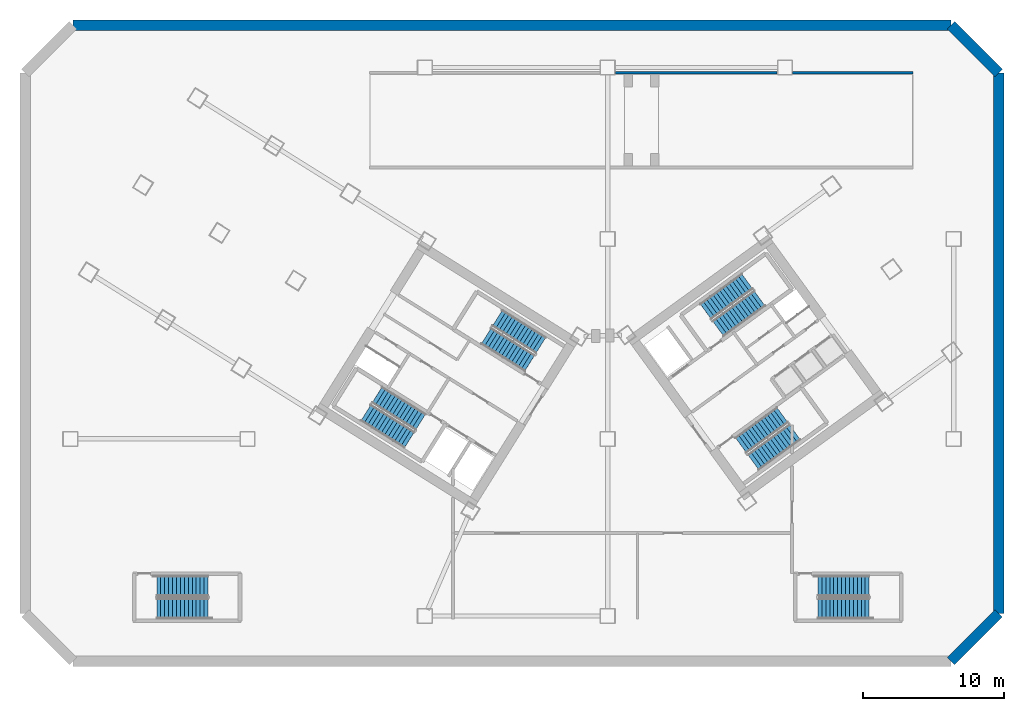
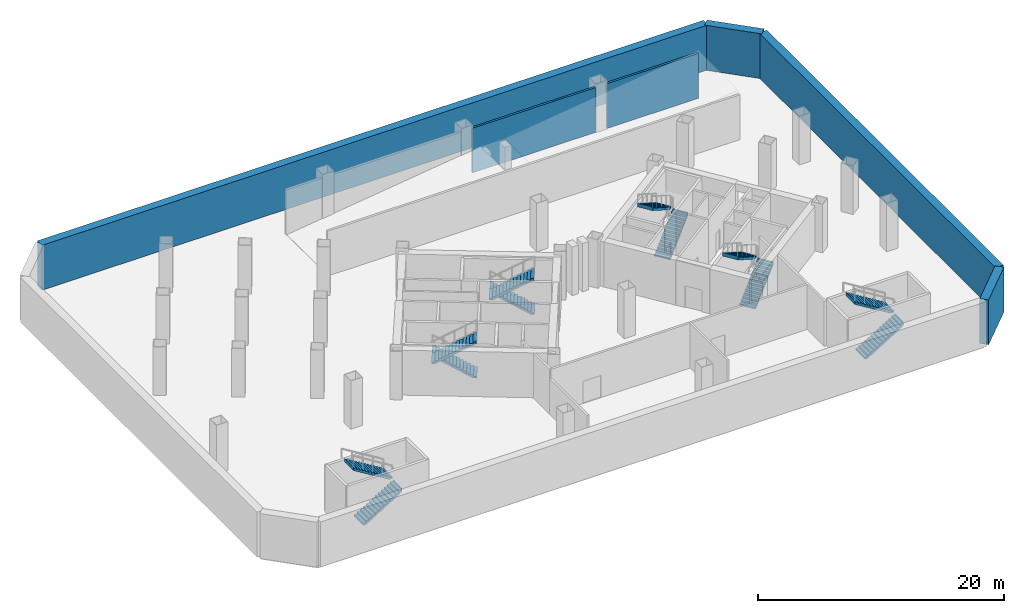
# One storey, part 5 of 9: 12 stair flights, 6 walls, 6 elements without a shape of their own.
"""IFC4 building model written with IfcOpenShell, lengths in metres."""

import ifcopenshell
import ifcopenshell.guid

model = None  # the IFC model being written
_history = None  # IfcOwnerHistory: only IFC2X3 demands one
_inside = {}  # id of a spatial element -> (the spatial element, [elements in it])
_under = {}  # id of a project, library or spatial element -> (it, [spatial elements below it])
_declared = {}  # id of a project -> (the project, [libraries it declares])
_typed = {}  # id of a type object -> (the type object, [elements of that type])
_made_of = {}  # id of a material, layer set ... -> (it, [elements and type objects made of it])


def new_model(schema):
    """Start an empty IFC model of exactly this schema.

    Asked for "IFC4X3", IfcOpenShell would pick the latest addendum, in which some entities
    have other attributes; the version numbers below select the first issue.
    IFC2X3 requires an IfcOwnerHistory on every rooted entity: one is made here for all.
    """
    global model, _history
    if schema == "IFC4X3":
        model = ifcopenshell.file(schema_version=(4, 3, 0, 0))
    else:
        model = ifcopenshell.file(schema=schema)
    _inside.clear()
    _under.clear()
    _declared.clear()
    _typed.clear()
    _made_of.clear()
    _history = None
    if model.schema == "IFC2X3":
        org = make("IfcOrganization", Name="unknown")
        user = make(
            "IfcPersonAndOrganization",
            ThePerson=make("IfcPerson", FamilyName="unknown"),
            TheOrganization=org,
        )
        app = make(
            "IfcApplication",
            ApplicationDeveloper=org,
            Version="unknown",
            ApplicationFullName="unknown",
            ApplicationIdentifier="unknown",
        )
        _history = make(
            "IfcOwnerHistory",
            OwningUser=user,
            OwningApplication=app,
            ChangeAction="ADDED",
            CreationDate=0,
        )
    return model


def make(cls, **values):
    """One entity of the class cls with the attributes given. An attribute that is None is left unset."""
    return model.create_entity(
        cls, **{name: value for name, value in values.items() if value is not None}
    )


def rooted(cls, **values):
    """An entity with a GlobalId (a new one), such as an element, a storey or a relation."""
    return make(cls, GlobalId=ifcopenshell.guid.new(), OwnerHistory=_history, **values)


def si_unit(unit_type, name, prefix=None):
    """IfcSIUnit, for example si_unit("LENGTHUNIT", "METRE", prefix="MILLI")."""
    return make("IfcSIUnit", UnitType=unit_type, Prefix=prefix, Name=name)


def assignment(units):
    """IfcUnitAssignment: the units of a project."""
    return None if units is None else make("IfcUnitAssignment", Units=units)


def point(xyz):
    """IfcCartesianPoint."""
    return None if xyz is None else make("IfcCartesianPoint", Coordinates=xyz)


def direction(xyz):
    """IfcDirection."""
    return None if xyz is None else make("IfcDirection", DirectionRatios=xyz)


def frame(location, z_axis=None, x_axis=None):
    """IfcAxis2Placement3D, a coordinate frame: its origin and axes. An axis left out is left unset."""
    return make(
        "IfcAxis2Placement3D",
        Location=point(location),
        Axis=direction(z_axis),
        RefDirection=direction(x_axis),
    )


def frame_2d(location, x_axis=None):
    """IfcAxis2Placement2D, a coordinate frame in the plane: its origin and x axis."""
    return make(
        "IfcAxis2Placement2D", Location=point(location), RefDirection=direction(x_axis)
    )


def origin():
    """The frame at (0, 0, 0) with its axes left unset."""
    return frame((0.0, 0.0, 0.0))


def place(relative_to, where):
    """IfcLocalPlacement: puts the frame where relative to a parent placement (None: the world)."""
    return make(
        "IfcLocalPlacement", PlacementRelTo=relative_to, RelativePlacement=where
    )


def context(
    kind, dimensions, precision=None, world=None, true_north=None, identifier=None
):
    """IfcGeometricRepresentationContext, for example the 3D "Model" context."""
    return make(
        "IfcGeometricRepresentationContext",
        ContextIdentifier=identifier,
        ContextType=kind,
        CoordinateSpaceDimension=dimensions,
        Precision=precision,
        WorldCoordinateSystem=world,
        TrueNorth=true_north,
    )


def subcontext(parent, identifier, kind, view, scale=None):
    """IfcGeometricRepresentationSubContext, for example "Body" below "Model"."""
    return make(
        "IfcGeometricRepresentationSubContext",
        ContextIdentifier=identifier,
        ContextType=kind,
        ParentContext=parent,
        TargetScale=scale,
        TargetView=view,
    )


def project(units=None, contexts=None):
    """IfcProject with its units and contexts."""
    return rooted(
        "IfcProject",
        Name="project",
        RepresentationContexts=contexts,
        UnitsInContext=assignment(units),
    )


def spatial(cls, under=None, at=None, **own):
    """A site, building, storey or space (cls), placed at a placement, below another one or the project."""
    s = rooted(cls, ObjectPlacement=at, **own)
    if under is not None:
        _under.setdefault(under.id(), (under, []))[1].append(s)
    return s


def polyline(points):
    """IfcPolyline through the points."""
    return make("IfcPolyline", Points=[point(p) for p in points])


def profile(cls, at=None, kind="AREA", **sizes):
    """A parametric profile (cls). Its sizes go by their IFC names, for example OverallWidth=200.0."""
    return make(cls, ProfileType=kind, Position=at, **sizes)


def rectangle(**sizes):
    """IfcRectangleProfileDef."""
    return profile("IfcRectangleProfileDef", **sizes)


def outline(outer, holes=None, kind="AREA"):
    """IfcArbitraryClosedProfileDef: a profile drawn as a closed curve; with holes, ...WithVoids."""
    if holes is None:
        return make("IfcArbitraryClosedProfileDef", ProfileType=kind, OuterCurve=outer)
    return make(
        "IfcArbitraryProfileDefWithVoids",
        ProfileType=kind,
        OuterCurve=outer,
        InnerCurves=holes,
    )


def extrude(swept, where, along, depth):
    """IfcExtrudedAreaSolid: the profile swept, set in the frame where, extruded along a direction by depth."""
    return make(
        "IfcExtrudedAreaSolid",
        SweptArea=swept,
        Position=where,
        ExtrudedDirection=direction(along),
        Depth=depth,
    )


def shape(context_of_items, identifier, shape_type, items):
    """IfcShapeRepresentation: the items that make up one representation, for example the "Body"."""
    return make(
        "IfcShapeRepresentation",
        ContextOfItems=context_of_items,
        RepresentationIdentifier=identifier,
        RepresentationType=shape_type,
        Items=items,
    )


def source(mapping_origin, context_of_items, identifier, shape_type, items):
    """IfcRepresentationMap: a shape defined once, which mapped items show again and again."""
    return make(
        "IfcRepresentationMap",
        MappingOrigin=mapping_origin,
        MappedRepresentation=shape(context_of_items, identifier, shape_type, items),
    )


def transform(
    local_origin,
    x_axis=None,
    y_axis=None,
    z_axis=None,
    scale=None,
    scale2=None,
    scale3=None,
    uniform=True,
):
    """IfcCartesianTransformationOperator3D, or its non-uniform kind. x_axis, y_axis, z_axis: its Axis1, 2, 3."""
    if uniform:
        return make(
            "IfcCartesianTransformationOperator3D",
            Axis1=direction(x_axis),
            Axis2=direction(y_axis),
            LocalOrigin=point(local_origin),
            Scale=scale,
            Axis3=direction(z_axis),
        )
    return make(
        "IfcCartesianTransformationOperator3DnonUniform",
        Axis1=direction(x_axis),
        Axis2=direction(y_axis),
        LocalOrigin=point(local_origin),
        Scale=scale,
        Axis3=direction(z_axis),
        Scale2=scale2,
        Scale3=scale3,
    )


def mapped(mapping_source, mapping_target):
    """IfcMappedItem: shows the shape of a source again, moved by a transform."""
    return make(
        "IfcMappedItem", MappingSource=mapping_source, MappingTarget=mapping_target
    )


def material(Name=None, Category=None):
    """IfcMaterial."""
    return make("IfcMaterial", Name=Name, Category=Category)


def layer(
    of_material, thickness, ventilated=None, Name=None, Category=None, Priority=None
):
    """IfcMaterialLayer: one layer of a wall or slab, of a material (None: an air gap)."""
    return make(
        "IfcMaterialLayer",
        Material=of_material,
        LayerThickness=thickness,
        IsVentilated=ventilated,
        Name=Name,
        Category=Category,
        Priority=Priority,
    )


def layer_set(layers, Name=None):
    """IfcMaterialLayerSet."""
    return make("IfcMaterialLayerSet", MaterialLayers=layers, LayerSetName=Name)


def made_of(thing, what):
    """Note that an element or type object is made of a material, layer set ...; save() writes the relation."""
    if what is not None:
        _made_of.setdefault(what.id(), (what, []))[1].append(thing)
    return thing


def type_object(cls, material=None, **own):
    """A type object (cls), such as IfcWallType, which elements share."""
    return made_of(rooted(cls, **own), material)


def element(
    cls,
    number,
    at=None,
    inside=None,
    cuts=None,
    type_object=None,
    material=None,
    context=None,
    identifier="Body",
    shape_type=None,
    held_by="IfcProductDefinitionShape",
    body=None,
    shapes=None,
    **own,
):
    """One element of the class cls, such as IfcWall. Its Tag is "e" and its number.

    at: its placement. inside: the storey or other place that contains it. cuts: it is an
    opening in that element (IfcRelVoidsElement). A single representation is given by context,
    identifier, shape_type and body (its items); several are given by shapes. held_by: the class
    of the entity that holds the representations. save() writes the other relations.
    """
    e = rooted(cls, Tag="e%d" % number, ObjectPlacement=at, **own)
    if body is not None:
        shapes = [shape(context, identifier, shape_type, body)]
    if shapes is not None:
        e.Representation = make(held_by, Representations=shapes)
    if inside is not None:
        _inside.setdefault(inside.id(), (inside, []))[1].append(e)
    if cuts is not None:
        rooted(
            "IfcRelVoidsElement", RelatingBuildingElement=cuts, RelatedOpeningElement=e
        )
    if type_object is not None:
        _typed.setdefault(type_object.id(), (type_object, []))[1].append(e)
    return made_of(e, material)


def aggregate(whole, parts):
    """IfcRelAggregates: a whole, such as a stair, and the parts it consists of."""
    return rooted("IfcRelAggregates", RelatingObject=whole, RelatedObjects=parts)


def save(model, path):
    """Write the relations noted so far, then the file.

    IfcRelAggregates (storeys below a building ...), IfcRelContainedInSpatialStructure (elements
    in a storey), IfcRelDefinesByType, IfcRelAssociatesMaterial and IfcRelDeclares: one each for
    every whole, place, type object, material and project.
    """
    for whole, parts in _under.values():
        aggregate(whole, parts)
    for where, things in _inside.values():
        rooted(
            "IfcRelContainedInSpatialStructure",
            RelatedElements=things,
            RelatingStructure=where,
        )
    for kind, things in _typed.values():
        rooted("IfcRelDefinesByType", RelatedObjects=things, RelatingType=kind)
    for what, things in _made_of.values():
        rooted("IfcRelAssociatesMaterial", RelatedObjects=things, RelatingMaterial=what)
    for by, libraries in _declared.values():
        rooted("IfcRelDeclares", RelatingContext=by, RelatedDefinitions=libraries)
    model.write(path)


model = new_model("IFC4")

# Units and contexts
model_context = context("Model", 3, precision=1e-05, world=origin(), true_north=direction((0.0, 1.0)))
body_context = subcontext(model_context, "Body", "Model", "MODEL_VIEW")
ifc_project = project(units=[si_unit("LENGTHUNIT", "METRE"), si_unit("AREAUNIT", "SQUARE_METRE"), si_unit("VOLUMEUNIT", "CUBIC_METRE"), si_unit("PLANEANGLEUNIT", "RADIAN"), si_unit("MASSUNIT", "GRAM", prefix="KILO")], contexts=[model_context])

# Site, building, storey
site_placement = place(None, origin())
site = spatial("IfcSite", under=ifc_project, at=site_placement, CompositionType="ELEMENT")
building_placement = place(site_placement, origin())
building = spatial("IfcBuilding", under=site, at=building_placement, Name="Tlacorven Tower", CompositionType="ELEMENT")
storey_placement = place(building_placement, frame((0.0, 0.0, -4.800048828125)))
storey = spatial("IfcBuildingStorey", under=building, at=storey_placement, Name="B1", CompositionType="ELEMENT", Elevation=-4.800048828125)

# Walls
ifc_material_1 = material(Name="Concrete C50/60", Category="concrete")
ifc_layer_1 = layer(ifc_material_1, 0.75)
ifc_layer_set_1 = layer_set([ifc_layer_1], Name="Concrete C50/60")
wall_type_1 = type_object("IfcWallType", Name="WL-RET-750", PredefinedType="USERDEFINED", material=ifc_layer_set_1)
wall_1_placement = place(storey_placement, frame((67.199951171875, 1.39990234375, 0.0), z_axis=(0.0, 0.0, 1.0), x_axis=(0.707106781187, 0.707106781187, 0.0)))
element("IfcWall", 1, at=wall_1_placement, inside=storey, type_object=wall_type_1, Name="B1 Diaphragm Retaining Wall 2", ObjectType="RETAINING WALL", PredefinedType="USERDEFINED", context=body_context, shape_type="SweptSolid", body=[
    extrude(rectangle(XDim=4.80859375, YDim=0.75, at=frame_2d((2.404296875, 0.0))), origin(), (0.0, 0.0, 1.0), 4.449951171875),
])
wall_2_placement = place(storey_placement, frame((70.60009765625, 4.800048828125, 0.0), z_axis=(0.0, 0.0, 1.0), x_axis=(0.0, 1.0, 0.0)))
element("IfcWall", 2, at=wall_2_placement, inside=storey, type_object=wall_type_1, Name="B1 Diaphragm Retaining Wall 3", ObjectType="RETAINING WALL", PredefinedType="USERDEFINED", context=body_context, shape_type="SweptSolid", body=[
    extrude(rectangle(XDim=38.39990234375, YDim=0.75, at=frame_2d((19.199951171875, 0.0))), origin(), (0.0, 0.0, 1.0), 4.449951171875),
])
wall_3_placement = place(storey_placement, frame((70.60009765625, 43.199951171875, 0.0), z_axis=(0.0, 0.0, 1.0), x_axis=(-0.707106781187, 0.707106781187, 0.0)))
element("IfcWall", 3, at=wall_3_placement, inside=storey, type_object=wall_type_1, Name="B1 Diaphragm Retaining Wall 4", ObjectType="RETAINING WALL", PredefinedType="USERDEFINED", context=body_context, shape_type="SweptSolid", body=[
    extrude(rectangle(XDim=4.80859375, YDim=0.75, at=frame_2d((2.404296875, 0.0))), origin(), (0.0, 0.0, 1.0), 4.449951171875),
])
wall_4_placement = place(storey_placement, frame((67.199951171875, 46.60009765625, 0.0), z_axis=(0.0, 0.0, 1.0), x_axis=(-1.0, 0.0, 0.0)))
element("IfcWall", 4, at=wall_4_placement, inside=storey, type_object=wall_type_1, Name="B1 Diaphragm Retaining Wall 5", ObjectType="RETAINING WALL", PredefinedType="USERDEFINED", context=body_context, shape_type="SweptSolid", body=[
    extrude(rectangle(XDim=62.39990234375, YDim=0.75, at=frame_2d((31.199951171875, 0.0))), origin(), (0.0, 0.0, 1.0), 4.449951171875),
])
ifc_material_2 = material(Name="Concrete C40/50", Category="concrete")
ifc_layer_2 = layer(ifc_material_2, 0.199951171875)
ifc_layer_set_2 = layer_set([ifc_layer_2], Name="Concrete C40/50")
wall_type_2 = type_object("IfcWallType", Name="WL-SHF-200", PredefinedType="STANDARD", material=ifc_layer_set_2)
wall_5_placement = place(storey_placement, frame((43.35205078125, 43.219970703125, 0.0), z_axis=(0.0, 0.0, 1.0), x_axis=(1.0, 0.0, 0.0)))
element("IfcWall", 5, at=wall_5_placement, inside=storey, type_object=wall_type_2, Name="B1 Vehicle Ramp North Flank Wall", PredefinedType="STANDARD", context=body_context, shape_type="SweptSolid", body=[
    extrude(rectangle(XDim=11.495849609375, YDim=0.199951171875, at=frame_2d((5.748046875, 0.0))), origin(), (0.0, 0.0, 1.0), 4.43994140625),
])
wall_6_placement = place(storey_placement, frame((55.951904296875, 43.219970703125, 0.0), z_axis=(0.0, 0.0, 1.0), x_axis=(1.0, 0.0, 0.0)))
element("IfcWall", 6, at=wall_6_placement, inside=storey, type_object=wall_type_2, Name="B1 Vehicle Ramp North Flank Wall", PredefinedType="STANDARD", context=body_context, shape_type="SweptSolid", body=[
    extrude(rectangle(XDim=8.568115234375, YDim=0.199951171875, at=frame_2d((4.2841796875, 0.0))), origin(), (0.0, 0.0, 1.0), 4.43994140625),
])

# Stair, stair flights
stair_type_1 = type_object("IfcStairType", Name="ST-CORE-DLG", PredefinedType="HALF_TURN_STAIR", material=ifc_material_2)
stair_1_placement = place(storey_placement, origin())
stair_1 = element("IfcStair", 7, at=stair_1_placement, inside=storey, type_object=stair_type_1, Name="B1 Protected Exit Stair West 1", PredefinedType="HALF_TURN_STAIR")
stair_flight_type_1 = type_object("IfcStairFlightType", Name="SFL-RC-1380", PredefinedType="STRAIGHT", material=ifc_material_2)
shared_shape_1 = source(origin(), body_context, "Body", "SweptSolid", [
    extrude(outline(polyline([(-0.0029296875, -0.0029296875), (-0.0029296875, 0.17138671875), (0.280029296875, 0.17138671875), (0.280029296875, 0.3427734375), (0.56005859375, 0.3427734375), (0.56005859375, 0.514404296875), (0.840087890625, 0.514404296875), (0.840087890625, 0.685791015625), (1.1201171875, 0.685791015625), (1.1201171875, 0.857177734375), (1.39990234375, 0.857177734375), (1.39990234375, 1.028564453125), (1.679931640625, 1.028564453125), (1.679931640625, 1.199951171875), (1.9599609375, 1.199951171875), (1.9599609375, 1.371337890625), (2.239990234375, 1.371337890625), (2.239990234375, 1.54296875), (2.52001953125, 1.54296875), (2.52001953125, 1.71435546875), (2.800048828125, 1.71435546875), (2.800048828125, 1.8857421875), (3.080078125, 1.8857421875), (3.080078125, 2.05712890625), (3.360107421875, 2.05712890625), (3.360107421875, 2.228515625), (3.639892578125, 2.228515625), (3.639892578125, 2.39990234375), (3.64306640625, 2.39990234375), (3.64306640625, 2.041015625), (3.639892578125, 2.041015625), (0.30615234375, 0.0), (0.30615234375, -0.0029296875), (-0.0029296875, -0.0029296875)])), frame((0.0, 0.68994140625, 0.0), z_axis=(0.0, -1.0, 0.0), x_axis=(1.0, 0.0, 0.0)), (0.0, 0.0, 1.0), 1.3798828125),
])
stair_flight_1_placement = place(storey_placement, frame((29.499755859375, 18.39453125, 0.0), z_axis=(0.0, 0.0, 1.0), x_axis=(-0.848048096156, 0.529919264233, 0.0)))
stair_flight_1 = element("IfcStairFlight", 8, at=stair_flight_1_placement, type_object=stair_flight_type_1, Name="ST-W1 flight 1", NumberOfRisers=14, NumberOfTreads=13, PredefinedType="STRAIGHT", RiserHeight=0.171428571, TreadLength=0.28, context=body_context, shape_type="MappedRepresentation", body=[
    mapped(shared_shape_1, transform((0.0, 0.0, 0.0), scale=1.0)),
])
stair_flight_2_placement = place(storey_placement, frame((25.6181640625, 19.051513671875, 2.400146484375), z_axis=(0.0, 0.0, 1.0), x_axis=(0.848048096156, -0.529919264233, 0.0)))
stair_flight_2 = element("IfcStairFlight", 9, at=stair_flight_2_placement, type_object=stair_flight_type_1, Name="ST-W1 flight 2", NumberOfRisers=14, NumberOfTreads=13, PredefinedType="STRAIGHT", RiserHeight=0.171428571, TreadLength=0.28, context=body_context, shape_type="MappedRepresentation", body=[
    mapped(shared_shape_1, transform((0.0, 0.0, 0.0), scale=1.0)),
])
aggregate(stair_1, [stair_flight_1, stair_flight_2])

stair_2_placement = place(storey_placement, origin())
stair_2 = element("IfcStair", 10, at=stair_2_placement, inside=storey, type_object=stair_type_1, Name="B1 Protected Exit Stair West 2", PredefinedType="HALF_TURN_STAIR")
stair_flight_3_placement = place(storey_placement, frame((38.051513671875, 23.852294921875, 0.0), z_axis=(0.0, 0.0, 1.0), x_axis=(-0.848048096156, 0.529919264233, 0.0)))
stair_flight_3 = element("IfcStairFlight", 11, at=stair_flight_3_placement, type_object=stair_flight_type_1, Name="ST-W2 flight 1", NumberOfRisers=14, NumberOfTreads=13, PredefinedType="STRAIGHT", RiserHeight=0.171428571, TreadLength=0.28, context=body_context, shape_type="MappedRepresentation", body=[
    mapped(shared_shape_1, transform((0.0, 0.0, 0.0), scale=1.0)),
])
stair_flight_4_placement = place(storey_placement, frame((34.169677734375, 24.509033203125, 2.400146484375), z_axis=(0.0, 0.0, 1.0), x_axis=(0.848048096156, -0.529919264233, 0.0)))
stair_flight_4 = element("IfcStairFlight", 12, at=stair_flight_4_placement, type_object=stair_flight_type_1, Name="ST-W2 flight 2", NumberOfRisers=14, NumberOfTreads=13, PredefinedType="STRAIGHT", RiserHeight=0.171428571, TreadLength=0.28, context=body_context, shape_type="MappedRepresentation", body=[
    mapped(shared_shape_1, transform((0.0, 0.0, 0.0), scale=1.0)),
])
aggregate(stair_2, [stair_flight_3, stair_flight_4])

stair_3_placement = place(storey_placement, origin())
stair_3 = element("IfcStair", 13, at=stair_3_placement, inside=storey, type_object=stair_type_1, Name="B1 Protected Exit Stair East 1", PredefinedType="HALF_TURN_STAIR")
stair_flight_5_placement = place(storey_placement, frame((50.6533203125, 25.0400390625, 0.0), z_axis=(0.0, 0.0, 1.0), x_axis=(0.809016994375, 0.587785252292, 0.0)))
stair_flight_5 = element("IfcStairFlight", 14, at=stair_flight_5_placement, type_object=stair_flight_type_1, Name="ST-E1 flight 1", NumberOfRisers=14, NumberOfTreads=13, PredefinedType="STRAIGHT", RiserHeight=0.171428571, TreadLength=0.28, context=body_context, shape_type="MappedRepresentation", body=[
    mapped(shared_shape_1, transform((0.0, 0.0, 0.0), scale=1.0)),
])
stair_flight_6_placement = place(storey_placement, frame((52.716552734375, 28.39306640625, 2.400146484375), z_axis=(0.0, 0.0, 1.0), x_axis=(-0.809016994375, -0.587785252292, 0.0)))
stair_flight_6 = element("IfcStairFlight", 15, at=stair_flight_6_placement, type_object=stair_flight_type_1, Name="ST-E1 flight 2", NumberOfRisers=14, NumberOfTreads=13, PredefinedType="STRAIGHT", RiserHeight=0.171428571, TreadLength=0.28, context=body_context, shape_type="MappedRepresentation", body=[
    mapped(shared_shape_1, transform((0.0, 0.0, 0.0), scale=1.0)),
])
aggregate(stair_3, [stair_flight_5, stair_flight_6])

stair_4_placement = place(storey_placement, origin())
stair_4 = element("IfcStair", 16, at=stair_4_placement, inside=storey, type_object=stair_type_1, Name="B1 Protected Exit Stair East 2", PredefinedType="HALF_TURN_STAIR")
stair_flight_7_placement = place(storey_placement, frame((53.157470703125, 15.536865234375, 0.0), z_axis=(0.0, 0.0, 1.0), x_axis=(0.809016994375, 0.587785252292, 0.0)))
stair_flight_7 = element("IfcStairFlight", 17, at=stair_flight_7_placement, type_object=stair_flight_type_1, Name="ST-E2 flight 1", NumberOfRisers=14, NumberOfTreads=13, PredefinedType="STRAIGHT", RiserHeight=0.171428571, TreadLength=0.28, context=body_context, shape_type="MappedRepresentation", body=[
    mapped(shared_shape_1, transform((0.0, 0.0, 0.0), scale=1.0)),
])
stair_flight_8_placement = place(storey_placement, frame((55.220458984375, 18.889892578125, 2.400146484375), z_axis=(0.0, 0.0, 1.0), x_axis=(-0.809016994375, -0.587785252292, 0.0)))
stair_flight_8 = element("IfcStairFlight", 18, at=stair_flight_8_placement, type_object=stair_flight_type_1, Name="ST-E2 flight 2", NumberOfRisers=14, NumberOfTreads=13, PredefinedType="STRAIGHT", RiserHeight=0.171428571, TreadLength=0.28, context=body_context, shape_type="MappedRepresentation", body=[
    mapped(shared_shape_1, transform((0.0, 0.0, 0.0), scale=1.0)),
])
aggregate(stair_4, [stair_flight_7, stair_flight_8])

stair_type_2 = type_object("IfcStairType", Name="ST-POD-DLG", PredefinedType="HALF_TURN_STAIR", material=ifc_material_2)
stair_5_placement = place(storey_placement, origin())
stair_5 = element("IfcStair", 19, at=stair_5_placement, inside=storey, type_object=stair_type_2, Name="B1 Podium Station Exit Stair 1", PredefinedType="HALF_TURN_STAIR")
stair_flight_type_2 = type_object("IfcStairFlightType", Name="SFL-RC-1480", PredefinedType="STRAIGHT", material=ifc_material_2)
shared_shape_2 = source(origin(), body_context, "Body", "SweptSolid", [
    extrude(outline(polyline([(-0.0029296875, -0.0029296875), (-0.0029296875, 0.17138671875), (0.280029296875, 0.17138671875), (0.280029296875, 0.3427734375), (0.56005859375, 0.3427734375), (0.56005859375, 0.514404296875), (0.840087890625, 0.514404296875), (0.840087890625, 0.685791015625), (1.1201171875, 0.685791015625), (1.1201171875, 0.857177734375), (1.39990234375, 0.857177734375), (1.39990234375, 1.028564453125), (1.679931640625, 1.028564453125), (1.679931640625, 1.199951171875), (1.9599609375, 1.199951171875), (1.9599609375, 1.371337890625), (2.239990234375, 1.371337890625), (2.239990234375, 1.54296875), (2.52001953125, 1.54296875), (2.52001953125, 1.71435546875), (2.800048828125, 1.71435546875), (2.800048828125, 1.8857421875), (3.080078125, 1.8857421875), (3.080078125, 2.05712890625), (3.360107421875, 2.05712890625), (3.360107421875, 2.228515625), (3.639892578125, 2.228515625), (3.639892578125, 2.39990234375), (3.64306640625, 2.39990234375), (3.64306640625, 2.041015625), (3.639892578125, 2.041015625), (0.30615234375, 0.0), (0.30615234375, -0.0029296875), (-0.0029296875, -0.0029296875)])), frame((0.0, 0.739990234375, 0.0), z_axis=(0.0, -1.0, 0.0), x_axis=(1.0, 0.0, 0.0)), (0.0, 0.0, 1.0), 1.47998046875),
])
stair_flight_9_placement = place(storey_placement, frame((10.75, 5.139892578125, 0.0), z_axis=(0.0, 0.0, 1.0), x_axis=(1.0, 0.0, 0.0)))
stair_flight_9 = element("IfcStairFlight", 20, at=stair_flight_9_placement, type_object=stair_flight_type_2, Name="ST-P1 flight 1", NumberOfRisers=14, NumberOfTreads=13, PredefinedType="STRAIGHT", RiserHeight=0.171428571, TreadLength=0.28, context=body_context, shape_type="MappedRepresentation", body=[
    mapped(shared_shape_2, transform((0.0, 0.0, 0.0), scale=1.0)),
])
stair_flight_10_placement = place(storey_placement, frame((14.389892578125, 6.739990234375, 2.400146484375), z_axis=(0.0, 0.0, 1.0), x_axis=(-1.0, 0.0, 0.0)))
stair_flight_10 = element("IfcStairFlight", 21, at=stair_flight_10_placement, type_object=stair_flight_type_2, Name="ST-P1 flight 2", NumberOfRisers=14, NumberOfTreads=13, PredefinedType="STRAIGHT", RiserHeight=0.171428571, TreadLength=0.28, context=body_context, shape_type="MappedRepresentation", body=[
    mapped(shared_shape_2, transform((0.0, 0.0, 0.0), scale=1.0)),
])
aggregate(stair_5, [stair_flight_9, stair_flight_10])

stair_6_placement = place(storey_placement, origin())
stair_6 = element("IfcStair", 22, at=stair_6_placement, inside=storey, type_object=stair_type_2, Name="B1 Podium Station Exit Stair 2", PredefinedType="HALF_TURN_STAIR")
stair_flight_11_placement = place(storey_placement, frame((57.75, 5.139892578125, 0.0), z_axis=(0.0, 0.0, 1.0), x_axis=(1.0, 0.0, 0.0)))
stair_flight_11 = element("IfcStairFlight", 23, at=stair_flight_11_placement, type_object=stair_flight_type_2, Name="ST-P2 flight 1", NumberOfRisers=14, NumberOfTreads=13, PredefinedType="STRAIGHT", RiserHeight=0.171428571, TreadLength=0.28, context=body_context, shape_type="MappedRepresentation", body=[
    mapped(shared_shape_2, transform((0.0, 0.0, 0.0), scale=1.0)),
])
stair_flight_12_placement = place(storey_placement, frame((61.389892578125, 6.739990234375, 2.400146484375), z_axis=(0.0, 0.0, 1.0), x_axis=(-1.0, 0.0, 0.0)))
stair_flight_12 = element("IfcStairFlight", 24, at=stair_flight_12_placement, type_object=stair_flight_type_2, Name="ST-P2 flight 2", NumberOfRisers=14, NumberOfTreads=13, PredefinedType="STRAIGHT", RiserHeight=0.171428571, TreadLength=0.28, context=body_context, shape_type="MappedRepresentation", body=[
    mapped(shared_shape_2, transform((0.0, 0.0, 0.0), scale=1.0)),
])
aggregate(stair_6, [stair_flight_11, stair_flight_12])

save(model, "model.ifc")
